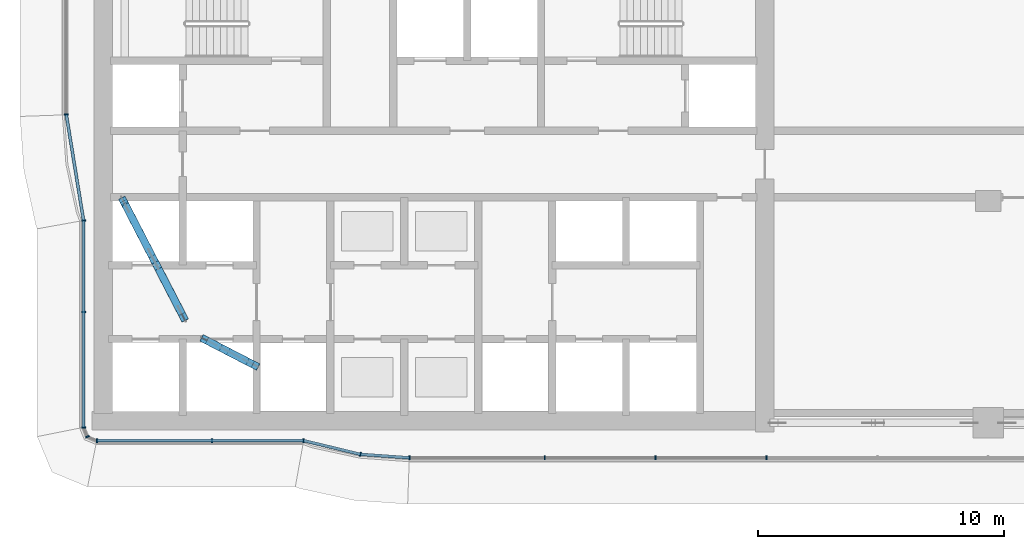
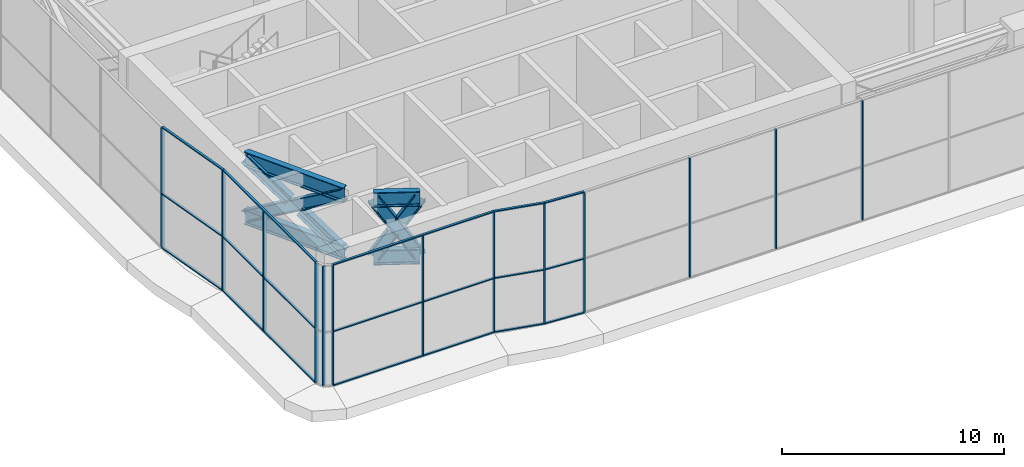
# One storey, part 2 of 35: 38 members, 7 elements without a shape of their own.
"""IFC4 building model written with IfcOpenShell, lengths in metres."""

from ifc_helpers import new_model, si_unit, direction, frame, origin, origin_2d, place, context, subcontext, project, spatial, rectangle, i_section, extrude, material, material_profile, profile_set, type_object, element, aggregate, save


model = new_model("IFC4")

# Units and contexts
model_context = context("Model", 3, precision=1e-05, world=origin(), true_north=direction((0.0, 1.0)))
body_context = subcontext(model_context, "Body", "Model", "MODEL_VIEW")
ifc_project = project(units=[si_unit("LENGTHUNIT", "METRE"), si_unit("AREAUNIT", "SQUARE_METRE"), si_unit("VOLUMEUNIT", "CUBIC_METRE"), si_unit("PLANEANGLEUNIT", "RADIAN"), si_unit("MASSUNIT", "GRAM", prefix="KILO")], contexts=[model_context])

# Site, building, storey
site_placement = place(None, origin())
site = spatial("IfcSite", under=ifc_project, at=site_placement, CompositionType="ELEMENT")
building_placement = place(site_placement, origin())
building = spatial("IfcBuilding", under=site, at=building_placement, Name="Ogive Portal Towers", CompositionType="ELEMENT")
storey_placement = place(building_placement, frame((0.0, 0.0, 135.199951171875)))
storey = spatial("IfcBuildingStorey", under=building, at=storey_placement, Name="L33", CompositionType="ELEMENT", Elevation=135.199951171875)

# Members
ifc_material_1 = material(Name="Steel S355", Category="steel")
ifc_material_profile_1 = material_profile(ifc_material_1, i_section(OverallWidth=0.300048828125, OverallDepth=0.60009765625, WebThickness=0.015380859375, FlangeThickness=0.030029296875, FilletRadius=0.027099609375, at=origin_2d()), Name="HEB 600")
ifc_profile_set_1 = profile_set([ifc_material_profile_1], Name="Steel S355")
member_type_1 = type_object("IfcMemberType", Name="BRACE HEB 600", PredefinedType="BRACE", material=ifc_profile_set_1)
member_1_placement = place(storey_placement, frame((32.40087890625, 30.5, 3.10693359375), z_axis=(0.393718919739, -0.761602747068, 0.514729703726), x_axis=(0.888319256353, 0.45922641343, 0.0)))
element("IfcMember", 1, at=member_1_placement, inside=storey, type_object=member_type_1, Name="Belt truss diagonal", PredefinedType="BRACE", context=body_context, shape_type="SweptSolid", body=[
    extrude(i_section(OverallWidth=0.300048828125, OverallDepth=0.60009765625, WebThickness=0.015380859375, FlangeThickness=0.030029296875, FilletRadius=0.027099609375, at=origin_2d()), origin(), (0.0, 0.0, 1.0), 6.189697265625),
])
for number, where, z_axis, x_axis, name in (
    (2, (32.40087890625, 30.5, 6.29296875), (0.393741354239, -0.761605491409, -0.514708481976), (0.888309256704, 0.459245756055, 0.0), "Belt truss diagonal"),
    (3, (33.75341796875, 27.884033203125, 4.525146484375), (0.393648510581, -0.761597321011, -0.514791579911), (0.888351422492, 0.459164186492, 0.0), "Belt truss diagonal"),
):
    element("IfcMember", number, at=place(storey_placement, frame(where, z_axis=z_axis, x_axis=x_axis)), inside=storey, type_object=member_type_1, Name=name, PredefinedType="BRACE", context=body_context, shape_type="SweptSolid", body=[
        extrude(i_section(OverallWidth=0.300048828125, OverallDepth=0.60009765625, WebThickness=0.015380859375, FlangeThickness=0.030029296875, FilletRadius=0.027099609375, at=origin_2d()), origin(), (0.0, 0.0, 1.0), 2.7548828125),
    ])
member_2_placement = place(storey_placement, frame((35.785888671875, 24.837890625, 6.29296875), z_axis=(0.488606069621, -0.252590459305, -0.835142005049), x_axis=(0.459226665438, 0.888319126075, 0.0)))
element("IfcMember", 4, at=member_2_placement, inside=storey, type_object=member_type_1, Name="Belt truss diagonal", PredefinedType="BRACE", context=body_context, shape_type="SweptSolid", body=[
    extrude(i_section(OverallWidth=0.300048828125, OverallDepth=0.60009765625, WebThickness=0.015380859375, FlangeThickness=0.030029296875, FilletRadius=0.027099609375, at=origin_2d()), origin(), (0.0, 0.0, 1.0), 3.81494140625),
])
for number, where, z_axis, x_axis, name in (
    (5, (35.785888671875, 24.837890625, 3.10693359375), (0.488619746488, -0.252494717291, 0.835162954807), (0.459079149975, 0.888395370349, 0.0), "Belt truss diagonal"),
    (6, (36.877685546875, 24.273681640625, 4.97265625), (0.488483116694, -0.252658355647, 0.835193390794), (0.459415279392, 0.88822159457, 0.0), "Belt truss diagonal"),
):
    element("IfcMember", number, at=place(storey_placement, frame(where, z_axis=z_axis, x_axis=x_axis)), inside=storey, type_object=member_type_1, Name=name, PredefinedType="BRACE", context=body_context, shape_type="SweptSolid", body=[
        extrude(i_section(OverallWidth=0.300048828125, OverallDepth=0.60009765625, WebThickness=0.015380859375, FlangeThickness=0.030029296875, FilletRadius=0.027099609375, at=origin_2d()), origin(), (0.0, 0.0, 1.0), 1.580810546875),
    ])
ifc_material_profile_2 = material_profile(ifc_material_1, i_section(OverallWidth=0.302978515625, OverallDepth=0.81396484375, WebThickness=0.02099609375, FlangeThickness=0.0400390625, FilletRadius=0.030029296875, at=origin_2d()), Name="HEM 800")
ifc_profile_set_2 = profile_set([ifc_material_profile_2], Name="Steel S355")
member_type_2 = type_object("IfcMemberType", Name="CHORD HEM 800", PredefinedType="CHORD", material=ifc_profile_set_2)
for number, where, z_axis, x_axis, name in (
    (7, (32.40087890625, 30.5, 3.10693359375), (0.45922641343, -0.888319256353, 0.0), (0.888319256353, 0.45922641343, 0.0), "Belt truss bottom chord"),
    (8, (32.40087890625, 30.5, 6.29296875), (0.45922641343, -0.888319256353, 0.0), (0.888319256353, 0.45922641343, 0.0), "Belt truss top chord"),
):
    element("IfcMember", number, at=place(storey_placement, frame(where, z_axis=z_axis, x_axis=x_axis)), inside=storey, type_object=member_type_2, Name=name, PredefinedType="CHORD", context=body_context, shape_type="SweptSolid", body=[
        extrude(i_section(OverallWidth=0.302978515625, OverallDepth=0.81396484375, WebThickness=0.02099609375, FlangeThickness=0.0400390625, FilletRadius=0.030029296875, at=origin_2d()), origin(), (0.0, 0.0, 1.0), 5.306884765625),
    ])
for number, where, z_axis, x_axis, name in (
    (9, (35.785888671875, 24.837890625, 3.10693359375), (0.888319126075, -0.459226665438, 0.0), (0.459226665438, 0.888319126075, 0.0), "Belt truss bottom chord"),
    (10, (35.785888671875, 24.837890625, 6.29296875), (0.888319126075, -0.459226665438, 0.0), (0.459226665438, 0.888319126075, 0.0), "Belt truss top chord"),
):
    element("IfcMember", number, at=place(storey_placement, frame(where, z_axis=z_axis, x_axis=x_axis)), inside=storey, type_object=member_type_2, Name=name, PredefinedType="CHORD", context=body_context, shape_type="SweptSolid", body=[
        extrude(i_section(OverallWidth=0.302978515625, OverallDepth=0.81396484375, WebThickness=0.02099609375, FlangeThickness=0.0400390625, FilletRadius=0.030029296875, at=origin_2d()), origin(), (0.0, 0.0, 1.0), 2.098388671875),
    ])

# Curtain wall, members
ifc_material_2 = material(Name="Glass, clear low-iron insulated glazing", Category="glass")
curtain_wall_type = type_object("IfcCurtainWallType", Name="CW OBSERVATION WALL", PredefinedType="NOTDEFINED", material=ifc_material_2)
curtain_wall_1_placement = place(storey_placement, origin())
curtain_wall_1 = element("IfcCurtainWall", 11, at=curtain_wall_1_placement, inside=storey, type_object=curtain_wall_type, Name="A:L33:f00:cw0", PredefinedType="NOTDEFINED")
ifc_material_3 = material(Name="Aluminium 6063 anodised", Category="aluminium")
ifc_material_profile_3 = material_profile(ifc_material_3, rectangle(XDim=0.159912109375, YDim=0.06005859375, at=origin_2d()), Name="AL 60x160")
ifc_profile_set_3 = profile_set([ifc_material_profile_3], Name="Aluminium 6063 anodised")
member_type_3 = type_object("IfcMemberType", Name="CW MULLION 60x160", PredefinedType="MULLION", material=ifc_profile_set_3)
member_3_placement = place(storey_placement, frame((30.780029296875, 29.705810546875, 0.06005859375), z_axis=(0.0, 0.0, 1.0), x_axis=(1.0, 0.0, 0.0)))
member_3 = element("IfcMember", 12, at=member_3_placement, type_object=member_type_3, Name="mullion", PredefinedType="MULLION", context=body_context, shape_type="SweptSolid", body=[
    extrude(rectangle(XDim=0.159912109375, YDim=0.06005859375, at=origin_2d()), origin(), (0.0, 0.0, 1.0), 6.580078125),
])
member_4_placement = place(storey_placement, frame((30.780029296875, 26.0, 0.06005859375), z_axis=(0.0, 0.0, 1.0), x_axis=(1.0, 0.0, 0.0)))
member_4 = element("IfcMember", 13, at=member_4_placement, type_object=member_type_3, Name="mullion", PredefinedType="MULLION", context=body_context, shape_type="SweptSolid", body=[
    extrude(rectangle(XDim=0.159912109375, YDim=0.06005859375, at=origin_2d()), origin(), (0.0, 0.0, 1.0), 6.580078125),
])
member_5_placement = place(storey_placement, frame((30.780029296875, 21.31591796875, 0.06005859375), z_axis=(0.0, 0.0, 1.0), x_axis=(1.0, 0.0, 0.0)))
member_5 = element("IfcMember", 14, at=member_5_placement, type_object=member_type_3, Name="mullion", PredefinedType="MULLION", context=body_context, shape_type="SweptSolid", body=[
    extrude(rectangle(XDim=0.159912109375, YDim=0.06005859375, at=origin_2d()), origin(), (0.0, 0.0, 1.0), 6.580078125),
])

curtain_wall_2_placement = place(storey_placement, origin())
curtain_wall_2 = element("IfcCurtainWall", 15, at=curtain_wall_2_placement, inside=storey, type_object=curtain_wall_type, Name="A:L33:f03:cw0", PredefinedType="NOTDEFINED")
member_6_placement = place(storey_placement, frame((31.31591796875, 20.780029296875, 0.06005859375), z_axis=(0.0, 0.0, 1.0), x_axis=(0.0, 1.0, 0.0)))
member_6 = element("IfcMember", 16, at=member_6_placement, type_object=member_type_3, Name="mullion", PredefinedType="MULLION", context=body_context, shape_type="SweptSolid", body=[
    extrude(rectangle(XDim=0.159912109375, YDim=0.06005859375, at=origin_2d()), origin(), (0.0, 0.0, 1.0), 6.580078125),
])
member_7_placement = place(storey_placement, frame((36.0, 20.780029296875, 0.06005859375), z_axis=(0.0, 0.0, 1.0), x_axis=(0.0, 1.0, 0.0)))
member_7 = element("IfcMember", 17, at=member_7_placement, type_object=member_type_3, Name="mullion", PredefinedType="MULLION", context=body_context, shape_type="SweptSolid", body=[
    extrude(rectangle(XDim=0.159912109375, YDim=0.06005859375, at=origin_2d()), origin(), (0.0, 0.0, 1.0), 6.580078125),
])
member_8_placement = place(storey_placement, frame((39.708984375, 20.780029296875, 0.06005859375), z_axis=(0.0, 0.0, 1.0), x_axis=(0.0, 1.0, 0.0)))
member_8 = element("IfcMember", 18, at=member_8_placement, type_object=member_type_3, Name="mullion", PredefinedType="MULLION", context=body_context, shape_type="SweptSolid", body=[
    extrude(rectangle(XDim=0.159912109375, YDim=0.06005859375, at=origin_2d()), origin(), (0.0, 0.0, 1.0), 6.580078125),
])

curtain_wall_3_placement = place(storey_placement, origin())
curtain_wall_3 = element("IfcCurtainWall", 19, at=curtain_wall_3_placement, inside=storey, type_object=curtain_wall_type, Name="A:L33:f06:cw0", PredefinedType="NOTDEFINED")
member_9_placement = place(storey_placement, frame((44.0029296875, 20.080078125, 0.06005859375), z_axis=(0.0, 0.0, 1.0), x_axis=(0.0, 1.0, 0.0)))
member_9 = element("IfcMember", 20, at=member_9_placement, type_object=member_type_3, Name="mullion", PredefinedType="MULLION", context=body_context, shape_type="SweptSolid", body=[
    extrude(rectangle(XDim=0.159912109375, YDim=0.06005859375, at=origin_2d()), origin(), (0.0, 0.0, 1.0), 6.580078125),
])
member_10_placement = place(storey_placement, frame((49.5, 20.080078125, 0.06005859375), z_axis=(0.0, 0.0, 1.0), x_axis=(0.0, 1.0, 0.0)))
member_10 = element("IfcMember", 21, at=member_10_placement, type_object=member_type_3, Name="mullion", PredefinedType="MULLION", context=body_context, shape_type="SweptSolid", body=[
    extrude(rectangle(XDim=0.159912109375, YDim=0.06005859375, at=origin_2d()), origin(), (0.0, 0.0, 1.0), 6.580078125),
])
member_11_placement = place(storey_placement, frame((54.0, 20.080078125, 0.06005859375), z_axis=(0.0, 0.0, 1.0), x_axis=(0.0, 1.0, 0.0)))
member_11 = element("IfcMember", 22, at=member_11_placement, type_object=member_type_3, Name="mullion", PredefinedType="MULLION", context=body_context, shape_type="SweptSolid", body=[
    extrude(rectangle(XDim=0.159912109375, YDim=0.06005859375, at=origin_2d()), origin(), (0.0, 0.0, 1.0), 6.580078125),
])
member_12_placement = place(storey_placement, frame((58.5, 20.080078125, 0.06005859375), z_axis=(0.0, 0.0, 1.0), x_axis=(0.0, 1.0, 0.0)))
member_12 = element("IfcMember", 23, at=member_12_placement, type_object=member_type_3, Name="mullion", PredefinedType="MULLION", context=body_context, shape_type="SweptSolid", body=[
    extrude(rectangle(XDim=0.159912109375, YDim=0.06005859375, at=origin_2d()), origin(), (0.0, 0.0, 1.0), 6.580078125),
])
aggregate(curtain_wall_3, [member_9, member_10, member_11, member_12])

# Curtain wall, member
curtain_wall_4_placement = place(storey_placement, origin())
curtain_wall_4 = element("IfcCurtainWall", 24, at=curtain_wall_4_placement, inside=storey, type_object=curtain_wall_type, Name="A:L33:f24:cw0", PredefinedType="NOTDEFINED")
member_13_placement = place(storey_placement, frame((30.080078125, 34.00634765625, 0.06005859375), z_axis=(0.0, 0.0, 1.0), x_axis=(1.0, 0.0, 0.0)))
member_13 = element("IfcMember", 25, at=member_13_placement, type_object=member_type_3, Name="mullion", PredefinedType="MULLION", context=body_context, shape_type="SweptSolid", body=[
    extrude(rectangle(XDim=0.159912109375, YDim=0.06005859375, at=origin_2d()), origin(), (0.0, 0.0, 1.0), 6.580078125),
])
aggregate(curtain_wall_4, [member_13])

curtain_wall_5_placement = place(storey_placement, origin())
curtain_wall_5 = element("IfcCurtainWall", 26, at=curtain_wall_5_placement, inside=storey, type_object=curtain_wall_type, Name="A:L33:f01:cwa", PredefinedType="NOTDEFINED")
member_14_placement = place(storey_placement, frame((30.93701171875, 20.93701171875, 0.06005859375), z_axis=(0.0, 0.0, 1.0), x_axis=(0.923879532511, 0.382683432365, 0.0)))
member_14 = element("IfcMember", 27, at=member_14_placement, type_object=member_type_3, Name="mullion", PredefinedType="MULLION", context=body_context, shape_type="SweptSolid", body=[
    extrude(rectangle(XDim=0.159912109375, YDim=0.06005859375, at=origin_2d()), origin(), (0.0, 0.0, 1.0), 6.580078125),
])
aggregate(curtain_wall_5, [member_14])

curtain_wall_6_placement = place(storey_placement, origin())
curtain_wall_6 = element("IfcCurtainWall", 28, at=curtain_wall_6_placement, inside=storey, type_object=curtain_wall_type, Name="A:L33:f04:cwa", PredefinedType="NOTDEFINED")
member_15_placement = place(storey_placement, frame((42.02001953125, 20.221923828125, 0.06005859375), z_axis=(0.0, 0.0, 1.0), x_axis=(0.234781974263, 0.972048056714, 0.0)))
member_15 = element("IfcMember", 29, at=member_15_placement, type_object=member_type_3, Name="mullion", PredefinedType="MULLION", context=body_context, shape_type="SweptSolid", body=[
    extrude(rectangle(XDim=0.159912109375, YDim=0.06005859375, at=origin_2d()), origin(), (0.0, 0.0, 1.0), 6.580078125),
])

# Member
ifc_material_profile_4 = material_profile(ifc_material_3, rectangle(XDim=0.1201171875, YDim=0.06005859375, at=origin_2d()), Name="AL 120x60")
ifc_profile_set_4 = profile_set([ifc_material_profile_4], Name="Aluminium 6063 anodised")
member_type_4 = type_object("IfcMemberType", Name="CW TRANSOM 60x120", PredefinedType="USERDEFINED", material=ifc_profile_set_4)
member_16_placement = place(storey_placement, frame((30.780029296875, 29.705810546875, 0.030029296875), z_axis=(0.0, -1.0, 0.0), x_axis=(1.0, 0.0, 0.0)))
member_16 = element("IfcMember", 30, at=member_16_placement, type_object=member_type_4, Name="transom", ObjectType="TRANSOM", PredefinedType="USERDEFINED", context=body_context, shape_type="SweptSolid", body=[
    extrude(rectangle(XDim=0.1201171875, YDim=0.06005859375, at=origin_2d()), origin(), (0.0, 0.0, 1.0), 8.389892578125),
])

member_17_placement = place(storey_placement, frame((30.780029296875, 29.705810546875, 3.0), z_axis=(0.0, -1.0, 0.0), x_axis=(1.0, 0.0, 0.0)))
member_17 = element("IfcMember", 31, at=member_17_placement, type_object=member_type_4, Name="transom", ObjectType="TRANSOM", PredefinedType="USERDEFINED", context=body_context, shape_type="SweptSolid", body=[
    extrude(rectangle(XDim=0.1201171875, YDim=0.06005859375, at=origin_2d()), origin(), (0.0, 0.0, 1.0), 8.389892578125),
])

member_18_placement = place(storey_placement, frame((30.780029296875, 29.705810546875, 6.670166015625), z_axis=(0.0, -1.0, 0.0), x_axis=(1.0, 0.0, 0.0)))
member_18 = element("IfcMember", 32, at=member_18_placement, type_object=member_type_4, Name="transom", ObjectType="TRANSOM", PredefinedType="USERDEFINED", context=body_context, shape_type="SweptSolid", body=[
    extrude(rectangle(XDim=0.1201171875, YDim=0.06005859375, at=origin_2d()), origin(), (0.0, 0.0, 1.0), 8.389892578125),
])

aggregate(curtain_wall_1, [member_16, member_17, member_18, member_3, member_4, member_5])

member_19_placement = place(storey_placement, frame((31.31591796875, 20.780029296875, 0.030029296875), z_axis=(1.0, 0.0, 0.0), x_axis=(0.0, 1.0, 0.0)))
member_19 = element("IfcMember", 33, at=member_19_placement, type_object=member_type_4, Name="transom", ObjectType="TRANSOM", PredefinedType="USERDEFINED", context=body_context, shape_type="SweptSolid", body=[
    extrude(rectangle(XDim=0.1201171875, YDim=0.06005859375, at=origin_2d()), origin(), (0.0, 0.0, 1.0), 8.39306640625),
])

member_20_placement = place(storey_placement, frame((31.31591796875, 20.780029296875, 3.0), z_axis=(1.0, 0.0, 0.0), x_axis=(0.0, 1.0, 0.0)))
member_20 = element("IfcMember", 34, at=member_20_placement, type_object=member_type_4, Name="transom", ObjectType="TRANSOM", PredefinedType="USERDEFINED", context=body_context, shape_type="SweptSolid", body=[
    extrude(rectangle(XDim=0.1201171875, YDim=0.06005859375, at=origin_2d()), origin(), (0.0, 0.0, 1.0), 8.39306640625),
])

member_21_placement = place(storey_placement, frame((31.31591796875, 20.780029296875, 6.670166015625), z_axis=(1.0, 0.0, 0.0), x_axis=(0.0, 1.0, 0.0)))
member_21 = element("IfcMember", 35, at=member_21_placement, type_object=member_type_4, Name="transom", ObjectType="TRANSOM", PredefinedType="USERDEFINED", context=body_context, shape_type="SweptSolid", body=[
    extrude(rectangle(XDim=0.1201171875, YDim=0.06005859375, at=origin_2d()), origin(), (0.0, 0.0, 1.0), 8.39306640625),
])

aggregate(curtain_wall_2, [member_19, member_20, member_21, member_6, member_7, member_8])

member_22_placement = place(storey_placement, frame((39.708984375, 20.780029296875, 0.030029296875), z_axis=(0.972056357294, -0.234747605406, 0.0), x_axis=(0.234747605406, 0.972056357294, 0.0)))
member_22 = element("IfcMember", 36, at=member_22_placement, type_object=member_type_4, Name="transom", ObjectType="TRANSOM", PredefinedType="USERDEFINED", context=body_context, shape_type="SweptSolid", body=[
    extrude(rectangle(XDim=0.1201171875, YDim=0.06005859375, at=origin_2d()), origin(), (0.0, 0.0, 1.0), 2.37744140625),
])

member_23_placement = place(storey_placement, frame((39.708984375, 20.780029296875, 3.0), z_axis=(0.972056357294, -0.234747605406, 0.0), x_axis=(0.234747605406, 0.972056357294, 0.0)))
member_23 = element("IfcMember", 37, at=member_23_placement, type_object=member_type_4, Name="transom", ObjectType="TRANSOM", PredefinedType="USERDEFINED", context=body_context, shape_type="SweptSolid", body=[
    extrude(rectangle(XDim=0.1201171875, YDim=0.06005859375, at=origin_2d()), origin(), (0.0, 0.0, 1.0), 2.37744140625),
])

member_24_placement = place(storey_placement, frame((39.708984375, 20.780029296875, 6.670166015625), z_axis=(0.972056357294, -0.234747605406, 0.0), x_axis=(0.234747605406, 0.972056357294, 0.0)))
member_24 = element("IfcMember", 38, at=member_24_placement, type_object=member_type_4, Name="transom", ObjectType="TRANSOM", PredefinedType="USERDEFINED", context=body_context, shape_type="SweptSolid", body=[
    extrude(rectangle(XDim=0.1201171875, YDim=0.06005859375, at=origin_2d()), origin(), (0.0, 0.0, 1.0), 2.37744140625),
])

member_25_placement = place(storey_placement, frame((42.02001953125, 20.221923828125, 0.030029296875), z_axis=(0.997451213607, -0.071351779747, 0.0), x_axis=(0.071351779747, 0.997451213607, 0.0)))
member_25 = element("IfcMember", 39, at=member_25_placement, type_object=member_type_4, Name="transom", ObjectType="TRANSOM", PredefinedType="USERDEFINED", context=body_context, shape_type="SweptSolid", body=[
    extrude(rectangle(XDim=0.1201171875, YDim=0.06005859375, at=origin_2d()), origin(), (0.0, 0.0, 1.0), 1.988037109375),
])

member_26_placement = place(storey_placement, frame((42.02001953125, 20.221923828125, 3.0), z_axis=(0.997451213607, -0.071351779747, 0.0), x_axis=(0.071351779747, 0.997451213607, 0.0)))
member_26 = element("IfcMember", 40, at=member_26_placement, type_object=member_type_4, Name="transom", ObjectType="TRANSOM", PredefinedType="USERDEFINED", context=body_context, shape_type="SweptSolid", body=[
    extrude(rectangle(XDim=0.1201171875, YDim=0.06005859375, at=origin_2d()), origin(), (0.0, 0.0, 1.0), 1.988037109375),
])

member_27_placement = place(storey_placement, frame((42.02001953125, 20.221923828125, 6.670166015625), z_axis=(0.997451213607, -0.071351779747, 0.0), x_axis=(0.071351779747, 0.997451213607, 0.0)))
member_27 = element("IfcMember", 41, at=member_27_placement, type_object=member_type_4, Name="transom", ObjectType="TRANSOM", PredefinedType="USERDEFINED", context=body_context, shape_type="SweptSolid", body=[
    extrude(rectangle(XDim=0.1201171875, YDim=0.06005859375, at=origin_2d()), origin(), (0.0, 0.0, 1.0), 1.988037109375),
])

aggregate(curtain_wall_6, [member_22, member_23, member_24, member_25, member_26, member_27, member_15])

# Curtain wall, members
curtain_wall_7_placement = place(storey_placement, origin())
curtain_wall_7 = element("IfcCurtainWall", 42, at=curtain_wall_7_placement, inside=storey, type_object=curtain_wall_type, Name="A:L33:f25:cwa", PredefinedType="NOTDEFINED")
member_28_placement = place(storey_placement, frame((30.080078125, 34.00634765625, 0.030029296875), z_axis=(0.160645135448, -0.987012229132, 0.0), x_axis=(0.987012229132, 0.160645135448, 0.0)))
member_28 = element("IfcMember", 43, at=member_28_placement, type_object=member_type_4, Name="transom", ObjectType="TRANSOM", PredefinedType="USERDEFINED", context=body_context, shape_type="SweptSolid", body=[
    extrude(rectangle(XDim=0.1201171875, YDim=0.06005859375, at=origin_2d()), origin(), (0.0, 0.0, 1.0), 4.357177734375),
])
member_29_placement = place(storey_placement, frame((30.080078125, 34.00634765625, 3.0), z_axis=(0.160645135448, -0.987012229132, 0.0), x_axis=(0.987012229132, 0.160645135448, 0.0)))
member_29 = element("IfcMember", 44, at=member_29_placement, type_object=member_type_4, Name="transom", ObjectType="TRANSOM", PredefinedType="USERDEFINED", context=body_context, shape_type="SweptSolid", body=[
    extrude(rectangle(XDim=0.1201171875, YDim=0.06005859375, at=origin_2d()), origin(), (0.0, 0.0, 1.0), 4.357177734375),
])
member_30_placement = place(storey_placement, frame((30.080078125, 34.00634765625, 6.670166015625), z_axis=(0.160645135448, -0.987012229132, 0.0), x_axis=(0.987012229132, 0.160645135448, 0.0)))
member_30 = element("IfcMember", 45, at=member_30_placement, type_object=member_type_4, Name="transom", ObjectType="TRANSOM", PredefinedType="USERDEFINED", context=body_context, shape_type="SweptSolid", body=[
    extrude(rectangle(XDim=0.1201171875, YDim=0.06005859375, at=origin_2d()), origin(), (0.0, 0.0, 1.0), 4.357177734375),
])
aggregate(curtain_wall_7, [member_28, member_29, member_30])

save(model, "model.ifc")
